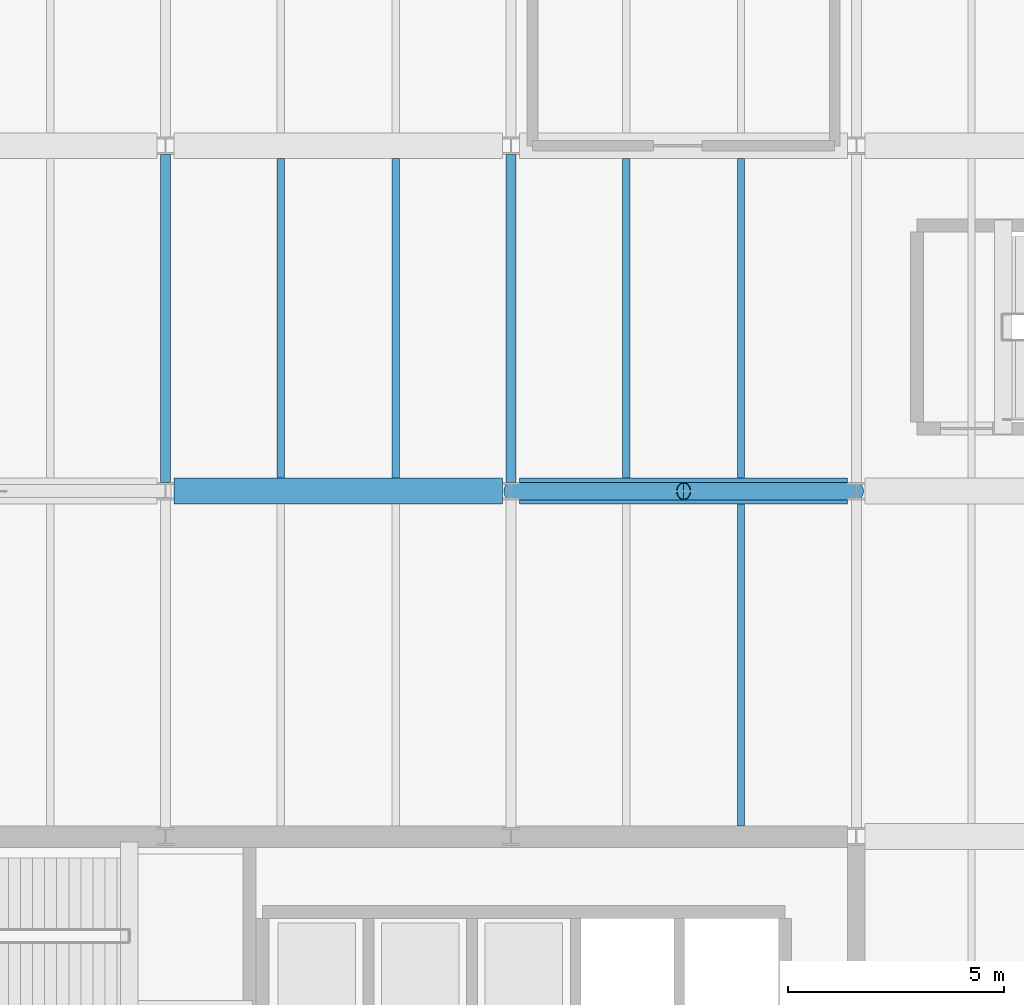
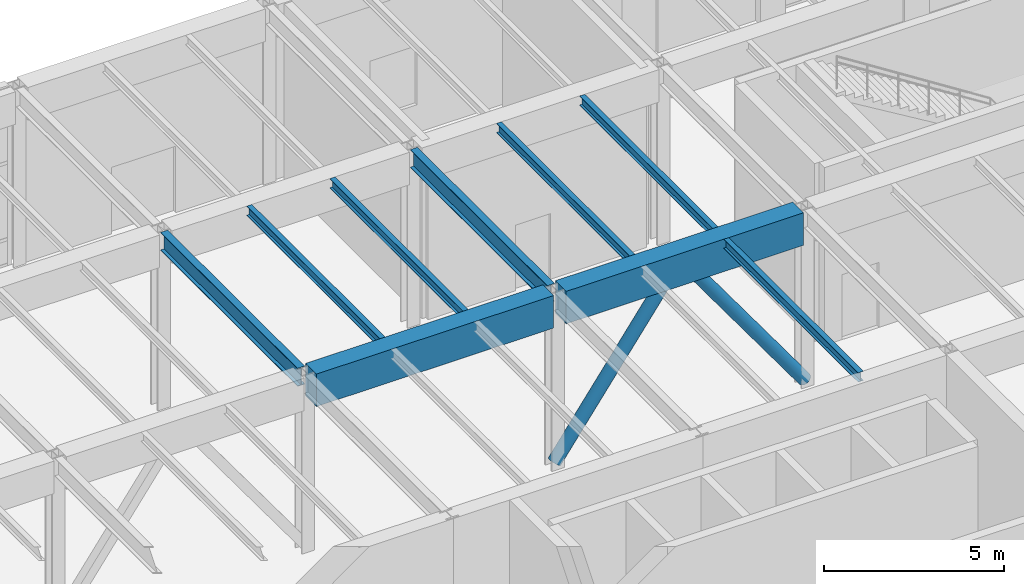
# One storey, part 21 of 51: 9 beams, 2 members.
"""IFC4 building model written with IfcOpenShell, lengths in metres."""

from ifc_helpers import new_model, si_unit, direction, frame, origin, origin_2d, place, context, subcontext, project, spatial, rectangle, hollow_circle, i_section, extrude, material, material_profile, profile_set, type_object, element, save


model = new_model("IFC4")

# Units and contexts
model_context = context("Model", 3, precision=1e-05, world=origin(), true_north=direction((0.0, 1.0)))
body_context = subcontext(model_context, "Body", "Model", "MODEL_VIEW")
ifc_project = project(units=[si_unit("LENGTHUNIT", "METRE"), si_unit("AREAUNIT", "SQUARE_METRE"), si_unit("VOLUMEUNIT", "CUBIC_METRE"), si_unit("PLANEANGLEUNIT", "RADIAN"), si_unit("MASSUNIT", "GRAM", prefix="KILO")], contexts=[model_context])

# Site, building, storey
site_placement = place(None, origin())
site = spatial("IfcSite", under=ifc_project, at=site_placement, CompositionType="ELEMENT")
building_placement = place(site_placement, origin())
building = spatial("IfcBuilding", under=site, at=building_placement, Name="Varnela Railside Interchange", CompositionType="ELEMENT")
storey_placement = place(building_placement, origin())
storey = spatial("IfcBuildingStorey", under=building, at=storey_placement, Name="L00", CompositionType="ELEMENT", Elevation=0.0)

# Beams
ifc_material_1 = material(Name="Steel AR 350 (350 MPa)", Category="steel")
ifc_material_profile_1 = material_profile(ifc_material_1, i_section(OverallWidth=0.1669921875, OverallDepth=0.31689453125, WebThickness=0.007568359375, FlangeThickness=0.01318359375, at=origin_2d()), Name="W310x52")
ifc_profile_set_1 = profile_set([ifc_material_profile_1], Name="Steel AR 350 (350 MPa)")
beam_type_1 = type_object("IfcBeamType", Name="Composite Long-Span Joist J-03", PredefinedType="JOIST", material=ifc_profile_set_1)
for number, where, z_axis, x_axis, name in (
    (1, (22.669921875, 78.300048828125, 5.861572265625), (0.0, 1.0, 0.0), (-1.0, 0.0, 0.0), "Composite Long-Span Joist J-03 (L00) (BM-1130)"),
    (2, (25.330078125, 78.300048828125, 5.861572265625), (0.0, 1.0, 0.0), (-1.0, 0.0, 0.0), "Composite Long-Span Joist J-03 (L00) (BM-1131)"),
):
    element("IfcBeam", number, at=place(storey_placement, frame(where, z_axis=z_axis, x_axis=x_axis)), inside=storey, type_object=beam_type_1, Name=name, PredefinedType="JOIST", context=body_context, shape_type="SweptSolid", body=[
        extrude(i_section(OverallWidth=0.1669921875, OverallDepth=0.31689453125, WebThickness=0.007568359375, FlangeThickness=0.01318359375, at=origin_2d()), origin(), (0.0, 0.0, 1.0), 7.39990234375),
    ])
beam_placement = place(storey_placement, frame((33.330078125, 70.239990234375, 5.861572265625), z_axis=(0.0, 1.0, 0.0), x_axis=(-1.0, 0.0, 0.0)))
element("IfcBeam", 3, at=beam_placement, inside=storey, type_object=beam_type_1, Name="Composite Long-Span Joist J-03 (L00) (BM-1139)", PredefinedType="JOIST", context=body_context, shape_type="SweptSolid", body=[
    extrude(i_section(OverallWidth=0.1669921875, OverallDepth=0.31689453125, WebThickness=0.007568359375, FlangeThickness=0.01318359375, at=origin_2d()), origin(), (0.0, 0.0, 1.0), 7.4599609375),
])
for number, where, z_axis, x_axis, name in (
    (4, (30.669921875, 78.300048828125, 5.861572265625), (0.0, 1.0, 0.0), (-1.0, 0.0, 0.0), "Composite Long-Span Joist J-03 (L00) (BM-1140)"),
    (5, (33.330078125, 78.300048828125, 5.861572265625), (0.0, 1.0, 0.0), (-1.0, 0.0, 0.0), "Composite Long-Span Joist J-03 (L00) (BM-1141)"),
):
    element("IfcBeam", number, at=place(storey_placement, frame(where, z_axis=z_axis, x_axis=x_axis)), inside=storey, type_object=beam_type_1, Name=name, PredefinedType="JOIST", context=body_context, shape_type="SweptSolid", body=[
        extrude(i_section(OverallWidth=0.1669921875, OverallDepth=0.31689453125, WebThickness=0.007568359375, FlangeThickness=0.01318359375, at=origin_2d()), origin(), (0.0, 0.0, 1.0), 7.39990234375),
    ])
ifc_material_2 = material(Name="Concrete C50", Category="concrete")
ifc_material_profile_2 = material_profile(ifc_material_2, rectangle(XDim=0.60009765625, YDim=1.10009765625, at=origin_2d()), Name="RC 600x1100")
ifc_profile_set_2 = profile_set([ifc_material_profile_2], Name="Concrete C50")
beam_type_2 = type_object("IfcBeamType", Name="Concourse RC Girder B-06", PredefinedType="BEAM", material=ifc_profile_set_2)
for number, where, z_axis, x_axis, name in (
    (6, (20.200439453125, 78.0, 5.469970703125), (1.0, 0.0, 0.0), (0.0, 1.0, 0.0), "Concourse RC Girder B-06 (L00) (BM-1277)"),
    (7, (28.200439453125, 78.0, 5.469970703125), (1.0, 0.0, 0.0), (0.0, 1.0, 0.0), "Concourse RC Girder B-06 (L00) (BM-1278)"),
):
    element("IfcBeam", number, at=place(storey_placement, frame(where, z_axis=z_axis, x_axis=x_axis)), inside=storey, type_object=beam_type_2, Name=name, PredefinedType="BEAM", context=body_context, shape_type="SweptSolid", body=[
        extrude(rectangle(XDim=0.60009765625, YDim=1.10009765625, at=origin_2d()), origin(), (0.0, 0.0, 1.0), 7.59912109375),
    ])
ifc_material_profile_3 = material_profile(ifc_material_1, i_section(OverallWidth=0.22900390625, OverallDepth=0.612060546875, WebThickness=0.011962890625, FlangeThickness=0.01953125, at=origin_2d()), Name="W610x125")
ifc_profile_set_3 = profile_set([ifc_material_profile_3], Name="Steel AR 350 (350 MPa)")
beam_type_3 = type_object("IfcBeamType", Name="Podium Composite Girder B-15", PredefinedType="BEAM", material=ifc_profile_set_3)
for number, where, z_axis, x_axis, name in (
    (8, (20.0, 78.199462890625, 5.714111328125), (0.0, 1.0, 0.0), (-1.0, 0.0, 0.0), "Podium Composite Girder B-15 (L00) (BM-1362)"),
    (9, (28.0, 78.199462890625, 5.714111328125), (0.0, 1.0, 0.0), (-1.0, 0.0, 0.0), "Podium Composite Girder B-15 (L00) (BM-1367)"),
):
    element("IfcBeam", number, at=place(storey_placement, frame(where, z_axis=z_axis, x_axis=x_axis)), inside=storey, type_object=beam_type_3, Name=name, PredefinedType="BEAM", context=body_context, shape_type="SweptSolid", body=[
        extrude(i_section(OverallWidth=0.22900390625, OverallDepth=0.612060546875, WebThickness=0.011962890625, FlangeThickness=0.01953125, at=origin_2d()), origin(), (0.0, 0.0, 1.0), 7.60107421875),
    ])

# Members
ifc_material_profile_4 = material_profile(ifc_material_1, hollow_circle(Radius=0.203125, WallThickness=0.02001953125, at=origin_2d()), Name="CHS 406.4x20")
ifc_profile_set_4 = profile_set([ifc_material_profile_4], Name="Steel AR 350 (350 MPa)")
member_type = type_object("IfcMemberType", Name="Tubular Mega Brace BR-09", PredefinedType="BRACE", material=ifc_profile_set_4)
for number, where, z_axis, x_axis, name in (
    (10, (28.0, 78.0, 0.14990234375), (0.586773887058, 0.0, 0.809750829247), (0.0, 1.0, 0.0), "Tubular Mega Brace BR-09 (L00) (MB-0003)"),
    (11, (36.0, 78.0, 0.14990234375), (-0.586773887058, 0.0, 0.809750829247), (0.0, -1.0, 0.0), "Tubular Mega Brace BR-09 (L00) (MB-0004)"),
):
    element("IfcMember", number, at=place(storey_placement, frame(where, z_axis=z_axis, x_axis=x_axis)), inside=storey, type_object=member_type, Name=name, PredefinedType="BRACE", context=body_context, shape_type="SweptSolid", body=[
        extrude(hollow_circle(Radius=0.203125, WallThickness=0.02001953125, at=origin_2d()), origin(), (0.0, 0.0, 1.0), 6.81689453125),
    ])

save(model, "model.ifc")
